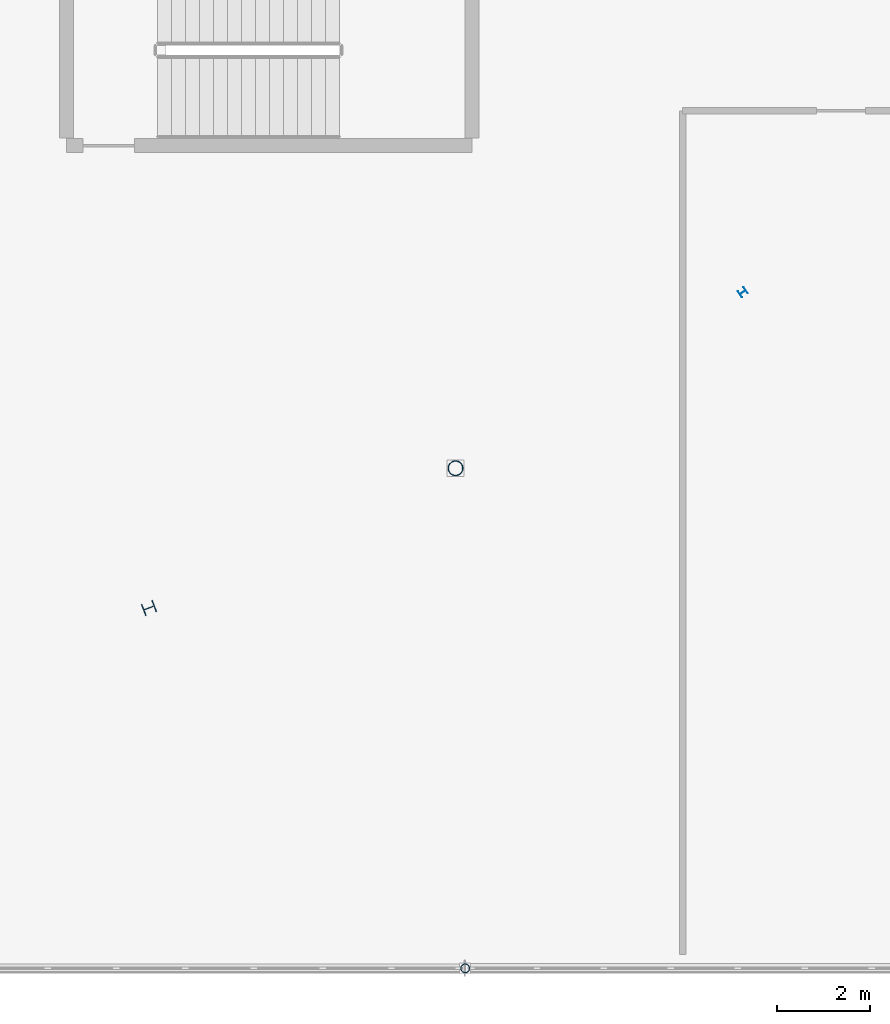
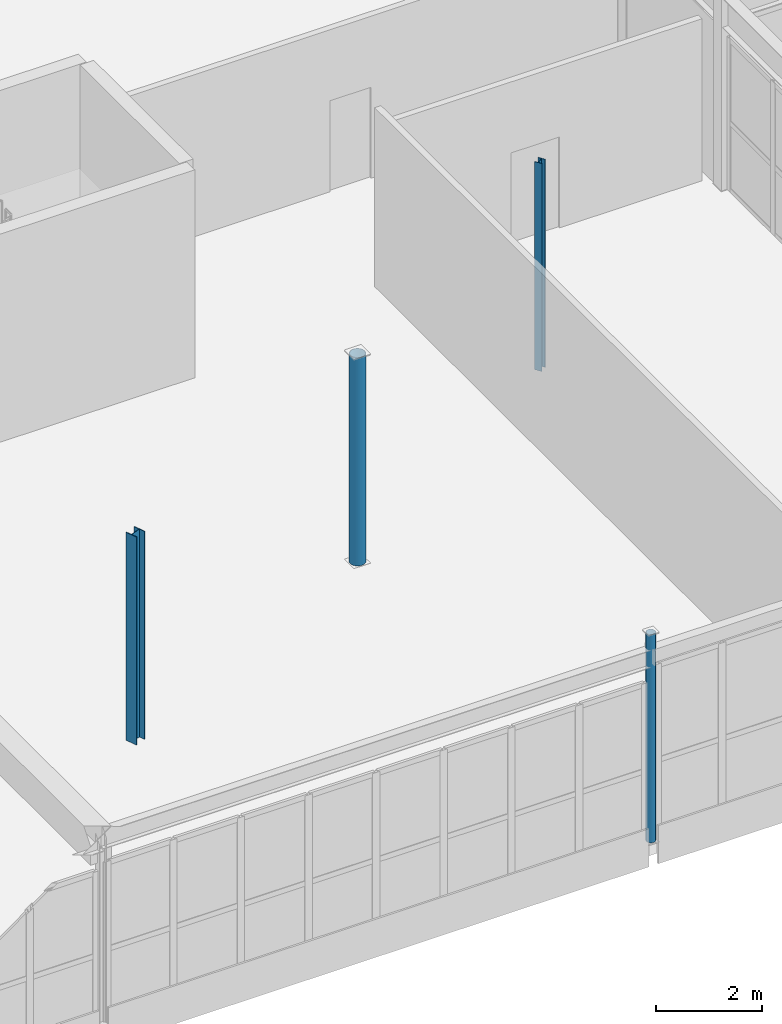
# One storey, part 11 of 226: 4 columns.
"""IFC4 building model written with IfcOpenShell, lengths in metres."""

import ifcopenshell
import ifcopenshell.guid

model = None  # the IFC model being written
_history = None  # IfcOwnerHistory: only IFC2X3 demands one
_inside = {}  # id of a spatial element -> (the spatial element, [elements in it])
_under = {}  # id of a project, library or spatial element -> (it, [spatial elements below it])
_declared = {}  # id of a project -> (the project, [libraries it declares])
_typed = {}  # id of a type object -> (the type object, [elements of that type])
_made_of = {}  # id of a material, layer set ... -> (it, [elements and type objects made of it])


def new_model(schema):
    """Start an empty IFC model of exactly this schema.

    Asked for "IFC4X3", IfcOpenShell would pick the latest addendum, in which some entities
    have other attributes; the version numbers below select the first issue.
    IFC2X3 requires an IfcOwnerHistory on every rooted entity: one is made here for all.
    """
    global model, _history
    if schema == "IFC4X3":
        model = ifcopenshell.file(schema_version=(4, 3, 0, 0))
    else:
        model = ifcopenshell.file(schema=schema)
    _inside.clear()
    _under.clear()
    _declared.clear()
    _typed.clear()
    _made_of.clear()
    _history = None
    if model.schema == "IFC2X3":
        org = make("IfcOrganization", Name="unknown")
        user = make(
            "IfcPersonAndOrganization",
            ThePerson=make("IfcPerson", FamilyName="unknown"),
            TheOrganization=org,
        )
        app = make(
            "IfcApplication",
            ApplicationDeveloper=org,
            Version="unknown",
            ApplicationFullName="unknown",
            ApplicationIdentifier="unknown",
        )
        _history = make(
            "IfcOwnerHistory",
            OwningUser=user,
            OwningApplication=app,
            ChangeAction="ADDED",
            CreationDate=0,
        )
    return model


def make(cls, **values):
    """One entity of the class cls with the attributes given. An attribute that is None is left unset."""
    return model.create_entity(
        cls, **{name: value for name, value in values.items() if value is not None}
    )


def rooted(cls, **values):
    """An entity with a GlobalId (a new one), such as an element, a storey or a relation."""
    return make(cls, GlobalId=ifcopenshell.guid.new(), OwnerHistory=_history, **values)


def si_unit(unit_type, name, prefix=None):
    """IfcSIUnit, for example si_unit("LENGTHUNIT", "METRE", prefix="MILLI")."""
    return make("IfcSIUnit", UnitType=unit_type, Prefix=prefix, Name=name)


def assignment(units):
    """IfcUnitAssignment: the units of a project."""
    return None if units is None else make("IfcUnitAssignment", Units=units)


def point(xyz):
    """IfcCartesianPoint."""
    return None if xyz is None else make("IfcCartesianPoint", Coordinates=xyz)


def direction(xyz):
    """IfcDirection."""
    return None if xyz is None else make("IfcDirection", DirectionRatios=xyz)


def frame(location, z_axis=None, x_axis=None):
    """IfcAxis2Placement3D, a coordinate frame: its origin and axes. An axis left out is left unset."""
    return make(
        "IfcAxis2Placement3D",
        Location=point(location),
        Axis=direction(z_axis),
        RefDirection=direction(x_axis),
    )


def frame_2d(location, x_axis=None):
    """IfcAxis2Placement2D, a coordinate frame in the plane: its origin and x axis."""
    return make(
        "IfcAxis2Placement2D", Location=point(location), RefDirection=direction(x_axis)
    )


def origin():
    """The frame at (0, 0, 0) with its axes left unset."""
    return frame((0.0, 0.0, 0.0))


def origin_2d():
    """The frame at (0, 0) in the plane with its x axis left unset."""
    return frame_2d((0.0, 0.0))


def place(relative_to, where):
    """IfcLocalPlacement: puts the frame where relative to a parent placement (None: the world)."""
    return make(
        "IfcLocalPlacement", PlacementRelTo=relative_to, RelativePlacement=where
    )


def context(
    kind, dimensions, precision=None, world=None, true_north=None, identifier=None
):
    """IfcGeometricRepresentationContext, for example the 3D "Model" context."""
    return make(
        "IfcGeometricRepresentationContext",
        ContextIdentifier=identifier,
        ContextType=kind,
        CoordinateSpaceDimension=dimensions,
        Precision=precision,
        WorldCoordinateSystem=world,
        TrueNorth=true_north,
    )


def subcontext(parent, identifier, kind, view, scale=None):
    """IfcGeometricRepresentationSubContext, for example "Body" below "Model"."""
    return make(
        "IfcGeometricRepresentationSubContext",
        ContextIdentifier=identifier,
        ContextType=kind,
        ParentContext=parent,
        TargetScale=scale,
        TargetView=view,
    )


def project(units=None, contexts=None):
    """IfcProject with its units and contexts."""
    return rooted(
        "IfcProject",
        Name="project",
        RepresentationContexts=contexts,
        UnitsInContext=assignment(units),
    )


def spatial(cls, under=None, at=None, **own):
    """A site, building, storey or space (cls), placed at a placement, below another one or the project."""
    s = rooted(cls, ObjectPlacement=at, **own)
    if under is not None:
        _under.setdefault(under.id(), (under, []))[1].append(s)
    return s


def profile(cls, at=None, kind="AREA", **sizes):
    """A parametric profile (cls). Its sizes go by their IFC names, for example OverallWidth=200.0."""
    return make(cls, ProfileType=kind, Position=at, **sizes)


def hollow_circle(**sizes):
    """IfcCircleHollowProfileDef."""
    return profile("IfcCircleHollowProfileDef", **sizes)


def i_section(**sizes):
    """IfcIShapeProfileDef."""
    return profile("IfcIShapeProfileDef", **sizes)


def extrude(swept, where, along, depth):
    """IfcExtrudedAreaSolid: the profile swept, set in the frame where, extruded along a direction by depth."""
    return make(
        "IfcExtrudedAreaSolid",
        SweptArea=swept,
        Position=where,
        ExtrudedDirection=direction(along),
        Depth=depth,
    )


def shape(context_of_items, identifier, shape_type, items):
    """IfcShapeRepresentation: the items that make up one representation, for example the "Body"."""
    return make(
        "IfcShapeRepresentation",
        ContextOfItems=context_of_items,
        RepresentationIdentifier=identifier,
        RepresentationType=shape_type,
        Items=items,
    )


def material(Name=None, Category=None):
    """IfcMaterial."""
    return make("IfcMaterial", Name=Name, Category=Category)


def material_profile(
    of_material, cross_section, Name=None, Category=None, Priority=None
):
    """IfcMaterialProfile: a cross section and its material."""
    return make(
        "IfcMaterialProfile",
        Name=Name,
        Material=of_material,
        Profile=cross_section,
        Priority=Priority,
        Category=Category,
    )


def profile_set(profiles, Name=None, composite=None):
    """IfcMaterialProfileSet."""
    return make(
        "IfcMaterialProfileSet",
        Name=Name,
        MaterialProfiles=profiles,
        CompositeProfile=composite,
    )


def made_of(thing, what):
    """Note that an element or type object is made of a material, layer set ...; save() writes the relation."""
    if what is not None:
        _made_of.setdefault(what.id(), (what, []))[1].append(thing)
    return thing


def type_object(cls, material=None, **own):
    """A type object (cls), such as IfcWallType, which elements share."""
    return made_of(rooted(cls, **own), material)


def element(
    cls,
    number,
    at=None,
    inside=None,
    cuts=None,
    type_object=None,
    material=None,
    context=None,
    identifier="Body",
    shape_type=None,
    held_by="IfcProductDefinitionShape",
    body=None,
    shapes=None,
    **own,
):
    """One element of the class cls, such as IfcWall. Its Tag is "e" and its number.

    at: its placement. inside: the storey or other place that contains it. cuts: it is an
    opening in that element (IfcRelVoidsElement). A single representation is given by context,
    identifier, shape_type and body (its items); several are given by shapes. held_by: the class
    of the entity that holds the representations. save() writes the other relations.
    """
    e = rooted(cls, Tag="e%d" % number, ObjectPlacement=at, **own)
    if body is not None:
        shapes = [shape(context, identifier, shape_type, body)]
    if shapes is not None:
        e.Representation = make(held_by, Representations=shapes)
    if inside is not None:
        _inside.setdefault(inside.id(), (inside, []))[1].append(e)
    if cuts is not None:
        rooted(
            "IfcRelVoidsElement", RelatingBuildingElement=cuts, RelatedOpeningElement=e
        )
    if type_object is not None:
        _typed.setdefault(type_object.id(), (type_object, []))[1].append(e)
    return made_of(e, material)


def aggregate(whole, parts):
    """IfcRelAggregates: a whole, such as a stair, and the parts it consists of."""
    return rooted("IfcRelAggregates", RelatingObject=whole, RelatedObjects=parts)


def save(model, path):
    """Write the relations noted so far, then the file.

    IfcRelAggregates (storeys below a building ...), IfcRelContainedInSpatialStructure (elements
    in a storey), IfcRelDefinesByType, IfcRelAssociatesMaterial and IfcRelDeclares: one each for
    every whole, place, type object, material and project.
    """
    for whole, parts in _under.values():
        aggregate(whole, parts)
    for where, things in _inside.values():
        rooted(
            "IfcRelContainedInSpatialStructure",
            RelatedElements=things,
            RelatingStructure=where,
        )
    for kind, things in _typed.values():
        rooted("IfcRelDefinesByType", RelatedObjects=things, RelatingType=kind)
    for what, things in _made_of.values():
        rooted("IfcRelAssociatesMaterial", RelatedObjects=things, RelatingMaterial=what)
    for by, libraries in _declared.values():
        rooted("IfcRelDeclares", RelatingContext=by, RelatedDefinitions=libraries)
    model.write(path)


model = new_model("IFC4")

# Units and contexts
model_context = context("Model", 3, precision=1e-05, world=origin(), true_north=direction((0.0, 1.0)))
body_context = subcontext(model_context, "Body", "Model", "MODEL_VIEW")
ifc_project = project(units=[si_unit("LENGTHUNIT", "METRE"), si_unit("AREAUNIT", "SQUARE_METRE"), si_unit("VOLUMEUNIT", "CUBIC_METRE"), si_unit("PLANEANGLEUNIT", "RADIAN"), si_unit("MASSUNIT", "GRAM", prefix="KILO")], contexts=[model_context])

# Site, building, storey
site_placement = place(None, origin())
site = spatial("IfcSite", under=ifc_project, at=site_placement, CompositionType="ELEMENT")
building_placement = place(site_placement, origin())
building = spatial("IfcBuilding", under=site, at=building_placement, Name="Tarnwether General Hospital", CompositionType="ELEMENT")
storey_placement = place(building_placement, frame((0.0, 0.0, 4.800048828125)))
storey = spatial("IfcBuildingStorey", under=building, at=storey_placement, Name="L01", CompositionType="ELEMENT", Elevation=4.800048828125)

# Columns
ifc_material_1 = material(Name="Steel Grade 350 (350 MPa)", Category="steel")
ifc_material_profile_1 = material_profile(ifc_material_1, i_section(OverallWidth=0.25390625, OverallDepth=0.25390625, WebThickness=0.008544921875, FlangeThickness=0.01416015625, at=origin_2d()), Name="250UC72.9")
ifc_profile_set_1 = profile_set([ifc_material_profile_1], Name="Steel Grade 350 (350 MPa)")
column_type_1 = type_object("IfcColumnType", Name="COL-24", PredefinedType="COLUMN", material=ifc_profile_set_1)
column_1_placement = place(storey_placement, frame((113.215087890625, 7.73193359375, 0.0), z_axis=(0.0, 0.0, 1.0), x_axis=(-0.358367949545, 0.933580426497, 0.0)))
element("IfcColumn", 1, at=column_1_placement, inside=storey, type_object=column_type_1, Name="Column COLG-L01-11322_773", PredefinedType="COLUMN", context=body_context, shape_type="SweptSolid", body=[
    extrude(i_section(OverallWidth=0.25390625, OverallDepth=0.25390625, WebThickness=0.008544921875, FlangeThickness=0.01416015625, at=origin_2d()), origin(), (0.0, 0.0, 1.0), 4.800048828125),
])
ifc_material_2 = material(Name="Steel Grade C350L0 (350 MPa)", Category="steel")
ifc_material_profile_2 = material_profile(ifc_material_2, hollow_circle(Radius=0.161865234375, WallThickness=0.0126953125, at=origin_2d()), Name="CHS323.9x12.7")
ifc_profile_set_2 = profile_set([ifc_material_profile_2], Name="Steel Grade C350L0 (350 MPa)")
column_type_2 = type_object("IfcColumnType", Name="COL-26", PredefinedType="COLUMN", material=ifc_profile_set_2)
column_2_placement = place(storey_placement, frame((119.79296875, 10.72998046875, 0.0), z_axis=(0.0, 0.0, 1.0), x_axis=(-0.469471562786, 0.882947592859, 0.0)))
element("IfcColumn", 2, at=column_2_placement, inside=storey, type_object=column_type_2, Name="Column COLG-L01-11979_1073", PredefinedType="COLUMN", context=body_context, shape_type="SweptSolid", body=[
    extrude(hollow_circle(Radius=0.161865234375, WallThickness=0.0126953125, at=origin_2d()), origin(), (0.0, 0.0, 1.0), 4.800048828125),
])
ifc_material_3 = material(Name="Steel Grade 350 (350 MPa)", Category="steel")
ifc_material_profile_3 = material_profile(ifc_material_3, i_section(OverallWidth=0.154052734375, OverallDepth=0.162109375, WebThickness=0.008056640625, FlangeThickness=0.011474609375, at=origin_2d()), Name="150UC37.2")
ifc_profile_set_3 = profile_set([ifc_material_profile_3], Name="Steel Grade 350 (350 MPa)")
column_type_3 = type_object("IfcColumnType", Name="COL-28", PredefinedType="COLUMN", material=ifc_profile_set_3)
column_3_placement = place(storey_placement, frame((125.9560546875, 14.506103515625, 0.0), z_axis=(0.0, 0.0, 1.0), x_axis=(-0.573576436351, 0.819152044289, 0.0)))
element("IfcColumn", 3, at=column_3_placement, inside=storey, type_object=column_type_3, Name="Column COLG-L01-12596_1451", PredefinedType="COLUMN", context=body_context, shape_type="SweptSolid", body=[
    extrude(i_section(OverallWidth=0.154052734375, OverallDepth=0.162109375, WebThickness=0.008056640625, FlangeThickness=0.011474609375, at=origin_2d()), origin(), (0.0, 0.0, 1.0), 4.800048828125),
])
ifc_material_4 = material(Name="Steel Grade C350L0 (350 MPa)", Category="steel")
ifc_material_profile_4 = material_profile(ifc_material_4, hollow_circle(Radius=0.096923828125, WallThickness=0.008056640625, at=origin_2d()), Name="CHS193.7x8.0")
ifc_profile_set_4 = profile_set([ifc_material_profile_4], Name="Steel Grade C350L0 (350 MPa)")
column_type_4 = type_object("IfcColumnType", Name="COL-29", PredefinedType="COLUMN", material=ifc_profile_set_4)
column_4_placement = place(storey_placement, frame((120.0, 0.0, 0.0), z_axis=(0.0, 0.0, 1.0), x_axis=(1.0, 0.0, 0.0)))
element("IfcColumn", 4, at=column_4_placement, inside=storey, type_object=column_type_4, Name="Column COLG-L01-12000_0", PredefinedType="COLUMN", context=body_context, shape_type="SweptSolid", body=[
    extrude(hollow_circle(Radius=0.096923828125, WallThickness=0.008056640625, at=origin_2d()), origin(), (0.0, 0.0, 1.0), 4.800048828125),
])

save(model, "model.ifc")
